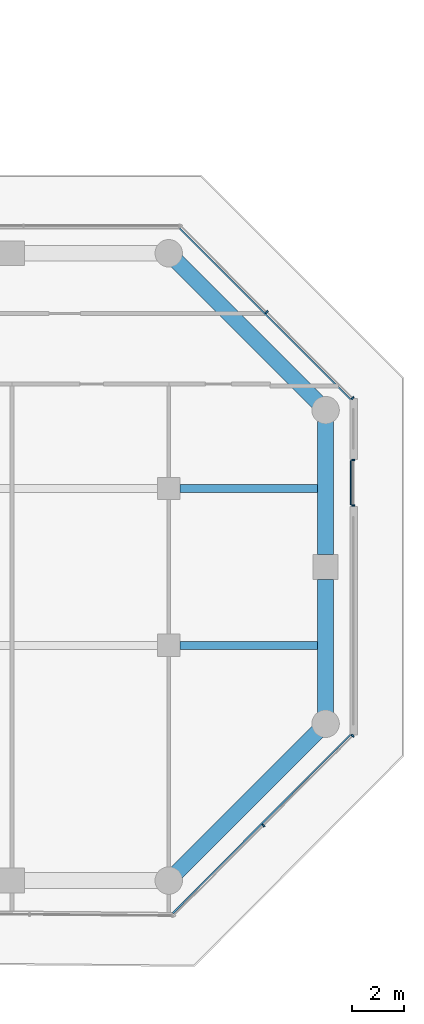
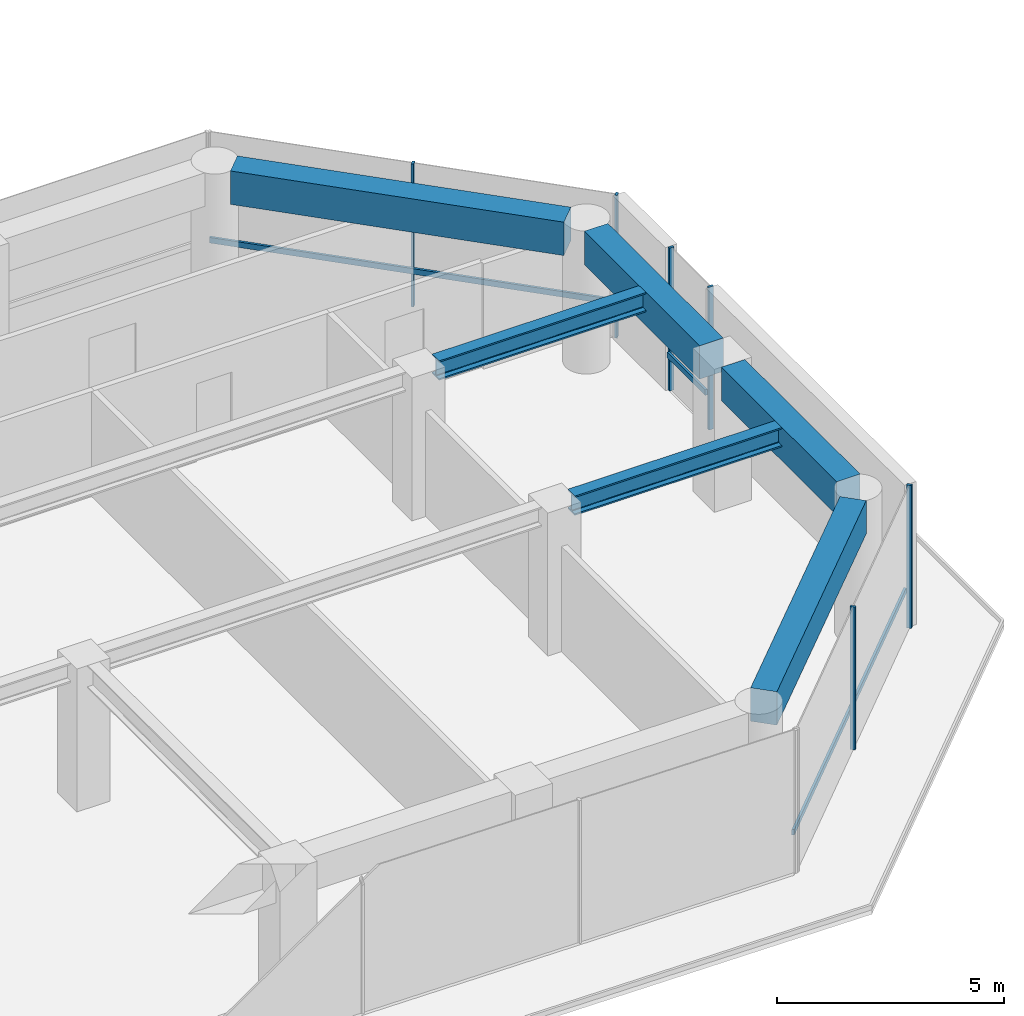
# One storey, part 20 of 29: 9 members, 6 beams, 3 elements without a shape of their own.
"""IFC4 building model written with IfcOpenShell, lengths in metres."""

from ifc_helpers import new_model, si_unit, direction, frame, origin, origin_2d, place, context, subcontext, project, spatial, rectangle, i_section, extrude, material, layer, layer_set, material_profile, profile_set, type_object, element, aggregate, save


model = new_model("IFC4")

# Units and contexts
model_context = context("Model", 3, precision=1e-05, world=origin(), true_north=direction((0.0, 1.0)))
body_context = subcontext(model_context, "Body", "Model", "MODEL_VIEW")
ifc_project = project(units=[si_unit("LENGTHUNIT", "METRE"), si_unit("AREAUNIT", "SQUARE_METRE"), si_unit("VOLUMEUNIT", "CUBIC_METRE"), si_unit("PLANEANGLEUNIT", "RADIAN"), si_unit("MASSUNIT", "GRAM", prefix="KILO")], contexts=[model_context])

# Site, building, storey
site_placement = place(None, origin())
site = spatial("IfcSite", under=ifc_project, at=site_placement, CompositionType="ELEMENT")
building_placement = place(site_placement, origin())
building = spatial("IfcBuilding", under=site, at=building_placement, Name="Welwitschia Terrace Campus", CompositionType="ELEMENT")
storey_placement = place(building_placement, frame((0.0, 0.0, 50.0)))
storey = spatial("IfcBuildingStorey", under=building, at=storey_placement, Name="L11", CompositionType="ELEMENT", Elevation=50.0)

# Beams
ifc_material_1 = material(Name="Steel S355", Category="steel")
ifc_material_profile_1 = material_profile(ifc_material_1, i_section(OverallWidth=0.305908203125, OverallDepth=0.52392578125, WebThickness=0.02099609375, FlangeThickness=0.0400390625, FilletRadius=0.027099609375, at=origin_2d()))
ifc_profile_set_1 = profile_set([ifc_material_profile_1], Name="Steel S355")
beam_type_1 = type_object("IfcBeamType", Name="Interior girder HE 500 M", PredefinedType="BEAM", material=ifc_profile_set_1)
for number, where, z_axis, x_axis, name in (
    (1, (60.425537109375, 5.0, 3.587890625), (1.0, 0.0, 0.0), (0.0, 1.0, 0.0), "Girder GB2"),
    (2, (60.425537109375, 11.0, 3.587890625), (1.0, 0.0, 0.0), (0.0, 1.0, 0.0), "Girder GB2"),
):
    element("IfcBeam", number, at=place(storey_placement, frame(where, z_axis=z_axis, x_axis=x_axis)), inside=storey, type_object=beam_type_1, Name=name, PredefinedType="BEAM", context=body_context, shape_type="SweptSolid", body=[
        extrude(i_section(OverallWidth=0.305908203125, OverallDepth=0.52392578125, WebThickness=0.02099609375, FlangeThickness=0.0400390625, FilletRadius=0.027099609375, at=origin_2d()), origin(), (0.0, 0.0, 1.0), 5.58447265625),
    ])

# Curtain wall, members
ifc_material_2 = material(Name="Bronze anodised aluminium", Category="aluminium")
ifc_layer = layer(ifc_material_2, 0.1201171875)
ifc_layer_set = layer_set([ifc_layer], Name="Bronze anodised aluminium")
curtain_wall_type = type_object("IfcCurtainWallType", Name="Curtain wall CW2 tower 6000", PredefinedType="NOTDEFINED", material=ifc_layer_set)
curtain_wall_1_placement = place(storey_placement, origin())
curtain_wall_1 = element("IfcCurtainWall", 3, at=curtain_wall_1_placement, inside=storey, type_object=curtain_wall_type, Name="CW L11.3.0", PredefinedType="NOTDEFINED")
ifc_material_3 = material(Name="Bronze anodised aluminium", Category="aluminium")
ifc_material_profile_2 = material_profile(ifc_material_3, rectangle(XDim=0.1201171875, YDim=0.06005859375, at=origin_2d()))
ifc_profile_set_2 = profile_set([ifc_material_profile_2], Name="Bronze anodised aluminium")
member_type_1 = type_object("IfcMemberType", Name="Mullion 60x120", PredefinedType="MULLION", material=ifc_profile_set_2)
member_1_placement = place(storey_placement, frame((63.61962890625, -1.892333984375, 0.0), z_axis=(0.0, 0.0, 1.0), x_axis=(-0.708719144918, 0.705490732488, 0.0)))
member_1 = element("IfcMember", 4, at=member_1_placement, type_object=member_type_1, Name="Mullion L11.3.0.1", PredefinedType="MULLION", context=body_context, shape_type="SweptSolid", body=[
    extrude(rectangle(XDim=0.1201171875, YDim=0.06005859375, at=origin_2d()), origin(), (0.0, 0.0, 1.0), 3.85009765625),
])
member_2_placement = place(storey_placement, frame((67.036865234375, 1.54052734375, 0.0), z_axis=(0.0, 0.0, 1.0), x_axis=(-0.708719144918, 0.705490732488, 0.0)))
member_2 = element("IfcMember", 5, at=member_2_placement, type_object=member_type_1, Name="Mullion L11.3.0.2", PredefinedType="MULLION", context=body_context, shape_type="SweptSolid", body=[
    extrude(rectangle(XDim=0.1201171875, YDim=0.06005859375, at=origin_2d()), origin(), (0.0, 0.0, 1.0), 3.85009765625),
])

curtain_wall_2_placement = place(storey_placement, origin())
curtain_wall_2 = element("IfcCurtainWall", 6, at=curtain_wall_2_placement, inside=storey, type_object=curtain_wall_type, Name="CW L11.4.S0", PredefinedType="NOTDEFINED")
member_3_placement = place(storey_placement, frame((67.05810546875, 10.34912109375, 0.0), z_axis=(0.0, 0.0, 1.0), x_axis=(-1.0, 0.0, 0.0)))
member_3 = element("IfcMember", 7, at=member_3_placement, type_object=member_type_1, Name="Mullion L11.4.S0.0", PredefinedType="MULLION", context=body_context, shape_type="SweptSolid", body=[
    extrude(rectangle(XDim=0.1201171875, YDim=0.06005859375, at=origin_2d()), origin(), (0.0, 0.0, 1.0), 3.85009765625),
])
member_4_placement = place(storey_placement, frame((67.05810546875, 12.089111328125, 0.0), z_axis=(0.0, 0.0, 1.0), x_axis=(-1.0, 0.0, 0.0)))
member_4 = element("IfcMember", 8, at=member_4_placement, type_object=member_type_1, Name="Mullion L11.4.S0.1", PredefinedType="MULLION", context=body_context, shape_type="SweptSolid", body=[
    extrude(rectangle(XDim=0.1201171875, YDim=0.06005859375, at=origin_2d()), origin(), (0.0, 0.0, 1.0), 3.85009765625),
])

curtain_wall_3_placement = place(storey_placement, origin())
curtain_wall_3 = element("IfcCurtainWall", 9, at=curtain_wall_3_placement, inside=storey, type_object=curtain_wall_type, Name="CW L11.5.0", PredefinedType="NOTDEFINED")
member_5_placement = place(storey_placement, frame((67.036865234375, 14.45947265625, 0.0), z_axis=(0.0, 0.0, 1.0), x_axis=(-0.707106781187, -0.707106781187, 0.0)))
member_5 = element("IfcMember", 10, at=member_5_placement, type_object=member_type_1, Name="Mullion L11.5.0.0", PredefinedType="MULLION", context=body_context, shape_type="SweptSolid", body=[
    extrude(rectangle(XDim=0.1201171875, YDim=0.06005859375, at=origin_2d()), origin(), (0.0, 0.0, 1.0), 3.85009765625),
])
member_6_placement = place(storey_placement, frame((63.748046875, 17.748046875, 0.0), z_axis=(0.0, 0.0, 1.0), x_axis=(-0.707106781187, -0.707106781187, 0.0)))
member_6 = element("IfcMember", 11, at=member_6_placement, type_object=member_type_1, Name="Mullion L11.5.0.1", PredefinedType="MULLION", context=body_context, shape_type="SweptSolid", body=[
    extrude(rectangle(XDim=0.1201171875, YDim=0.06005859375, at=origin_2d()), origin(), (0.0, 0.0, 1.0), 3.85009765625),
])

# Beams
ifc_material_4 = material(Name="Concrete C60/75", Category="concrete")
ifc_material_profile_3 = material_profile(ifc_material_4, rectangle(XDim=0.60009765625, YDim=0.89990234375, at=origin_2d()))
ifc_profile_set_3 = profile_set([ifc_material_profile_3], Name="Concrete C60/75")
beam_type_2 = type_object("IfcBeamType", Name="Ring spandrel 600x900", PredefinedType="SPANDREL", material=ifc_profile_set_3)
beam_1_placement = place(storey_placement, frame((60.30517578125, -3.69482421875, 3.39990234375), z_axis=(0.707106781187, 0.707106781187, 0.0), x_axis=(-0.707106781187, 0.707106781187, 0.0)))
element("IfcBeam", 12, at=beam_1_placement, inside=storey, type_object=beam_type_2, Name="Spandrel SP2", PredefinedType="SPANDREL", context=body_context, shape_type="SweptSolid", body=[
    extrude(rectangle(XDim=0.60009765625, YDim=0.89990234375, at=origin_2d()), origin(), (0.0, 0.0, 1.0), 7.6220703125),
])
for number, where, z_axis, x_axis, name in (
    (13, (66.0, 2.431396484375, 3.39990234375), (0.0, 1.0, 0.0), (-1.0, 0.0, 0.0), "Spandrel SP2"),
    (14, (66.0, 8.4755859375, 3.39990234375), (0.0, 1.0, 0.0), (-1.0, 0.0, 0.0), "Spandrel SP2"),
):
    element("IfcBeam", number, at=place(storey_placement, frame(where, z_axis=z_axis, x_axis=x_axis)), inside=storey, type_object=beam_type_2, Name=name, PredefinedType="SPANDREL", context=body_context, shape_type="SweptSolid", body=[
        extrude(rectangle(XDim=0.60009765625, YDim=0.89990234375, at=origin_2d()), origin(), (0.0, 0.0, 1.0), 5.093017578125),
    ])
beam_2_placement = place(storey_placement, frame((65.69482421875, 14.30517578125, 3.39990234375), z_axis=(-0.707106781187, 0.707106781187, 0.0), x_axis=(-0.707106781187, -0.707106781187, 0.0)))
element("IfcBeam", 15, at=beam_2_placement, inside=storey, type_object=beam_type_2, Name="Spandrel SP2", PredefinedType="SPANDREL", context=body_context, shape_type="SweptSolid", body=[
    extrude(rectangle(XDim=0.60009765625, YDim=0.89990234375, at=origin_2d()), origin(), (0.0, 0.0, 1.0), 7.6220703125),
])

# Member
ifc_material_5 = material(Name="Bronze anodised aluminium", Category="aluminium")
ifc_material_profile_4 = material_profile(ifc_material_5, rectangle(XDim=0.06005859375, YDim=0.14990234375, at=origin_2d()))
ifc_profile_set_4 = profile_set([ifc_material_profile_4], Name="Bronze anodised aluminium")
member_type_2 = type_object("IfcMemberType", Name="Transom 60x150", PredefinedType="USERDEFINED", material=ifc_profile_set_4)
member_7_placement = place(storey_placement, frame((60.159912109375, -5.240234375, 1.0), z_axis=(0.705494634521, 0.708715260638, 0.0), x_axis=(-0.708715260638, 0.705494634521, 0.0)))
member_7 = element("IfcMember", 16, at=member_7_placement, type_object=member_type_2, Name="Transom L11.3.0", ObjectType="TRANSOM", PredefinedType="USERDEFINED", context=body_context, shape_type="SweptSolid", body=[
    extrude(rectangle(XDim=0.06005859375, YDim=0.14990234375, at=origin_2d()), origin(), (0.0, 0.0, 1.0), 9.627197265625),
])

aggregate(curtain_wall_1, [member_1, member_2, member_7])

member_8_placement = place(storey_placement, frame((66.968017578125, 10.379150390625, 1.0), z_axis=(0.0, 1.0, 0.0), x_axis=(-1.0, 0.0, 0.0)))
member_8 = element("IfcMember", 17, at=member_8_placement, type_object=member_type_2, Name="Transom L11.4.S0", ObjectType="TRANSOM", PredefinedType="USERDEFINED", context=body_context, shape_type="SweptSolid", body=[
    extrude(rectangle(XDim=0.06005859375, YDim=0.14990234375, at=origin_2d()), origin(), (0.0, 0.0, 1.0), 1.679931640625),
])

aggregate(curtain_wall_2, [member_3, member_4, member_8])

member_9_placement = place(storey_placement, frame((66.951904296875, 14.4169921875, 1.0), z_axis=(-0.707106781187, 0.707106781187, 0.0), x_axis=(-0.707106781187, -0.707106781187, 0.0)))
member_9 = element("IfcMember", 18, at=member_9_placement, type_object=member_type_2, Name="Transom L11.5.0", ObjectType="TRANSOM", PredefinedType="USERDEFINED", context=body_context, shape_type="SweptSolid", body=[
    extrude(rectangle(XDim=0.06005859375, YDim=0.14990234375, at=origin_2d()), origin(), (0.0, 0.0, 1.0), 9.24169921875),
])

aggregate(curtain_wall_3, [member_5, member_6, member_9])

save(model, "model.ifc")
